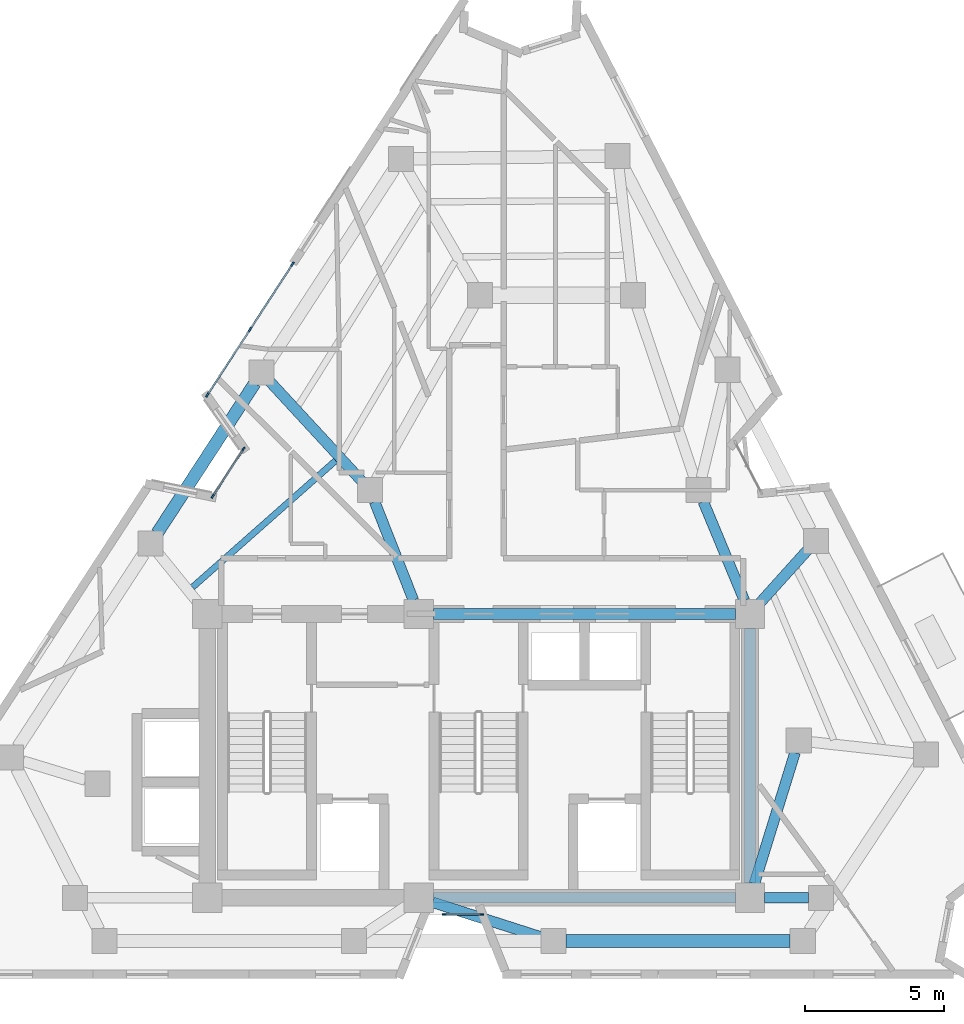
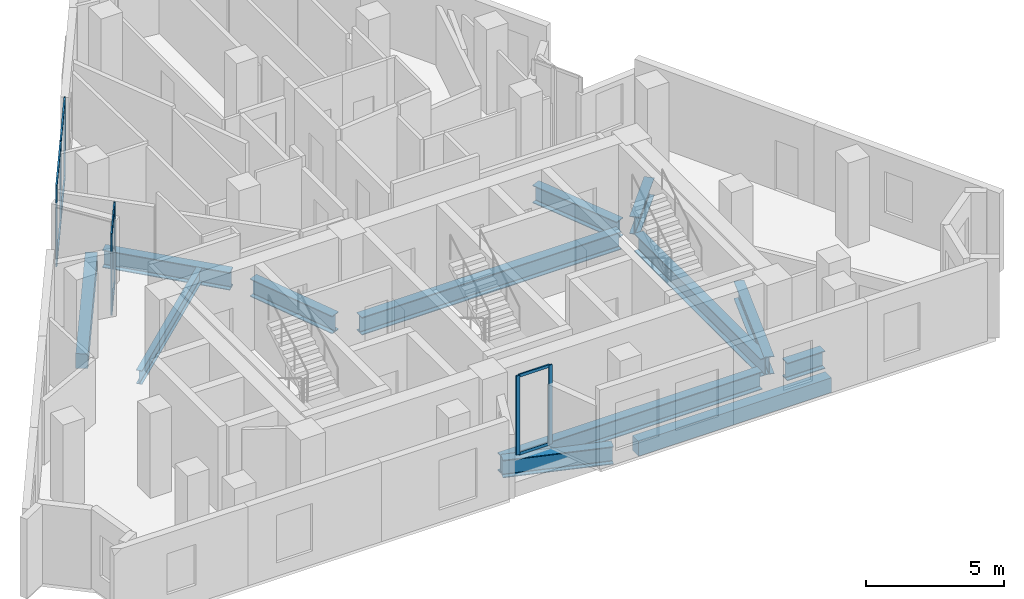
# One storey, part 2 of 10: 15 members, 13 beams, 3 elements without a shape of their own.
"""IFC4 building model written with IfcOpenShell, lengths in metres."""

from ifc_helpers import new_model, si_unit, direction, frame, origin, origin_2d, place, context, subcontext, project, spatial, rectangle, i_section, extrude, material, layer, layer_set, material_profile, profile_set, type_object, element, aggregate, save


model = new_model("IFC4")

# Units and contexts
model_context = context("Model", 3, precision=1e-05, world=origin(), true_north=direction((0.0, 1.0)))
body_context = subcontext(model_context, "Body", "Model", "MODEL_VIEW")
ifc_project = project(units=[si_unit("LENGTHUNIT", "METRE"), si_unit("AREAUNIT", "SQUARE_METRE"), si_unit("VOLUMEUNIT", "CUBIC_METRE"), si_unit("PLANEANGLEUNIT", "RADIAN"), si_unit("MASSUNIT", "GRAM", prefix="KILO")], contexts=[model_context])

# Site, building, storey
site_placement = place(None, origin())
site = spatial("IfcSite", under=ifc_project, at=site_placement, CompositionType="ELEMENT")
building_placement = place(site_placement, origin())
building = spatial("IfcBuilding", under=site, at=building_placement, Name="Almagre Mirador Tower", CompositionType="ELEMENT")
storey_placement = place(building_placement, frame((0.0, 0.0, 222.0)))
storey = spatial("IfcBuildingStorey", under=building, at=storey_placement, Name="L57", CompositionType="ELEMENT", Elevation=222.0)

# Beams
ifc_material_1 = material(Name="Steel ASTM A992 Grade 50", Category="steel")
ifc_material_profile_1 = material_profile(ifc_material_1, i_section(OverallWidth=0.22802734375, OverallDepth=0.60791015625, WebThickness=0.01123046875, FlangeThickness=0.017333984375, FilletRadius=0.02001953125, at=origin_2d()), Name="W24X76")
ifc_profile_set_1 = profile_set([ifc_material_profile_1], Name="Steel ASTM A992 Grade 50")
beam_type_1 = type_object("IfcBeamType", Name="BM-JST-W24X76", PredefinedType="JOIST", material=ifc_profile_set_1)
beam_1_placement = place(storey_placement, frame((32.162841796875, 20.2568359375, -0.553955078125), z_axis=(-0.749092259483, -0.662465687249, 0.0), x_axis=(0.662465687249, -0.749092259483, 0.0)))
element("IfcBeam", 1, at=beam_1_placement, inside=storey, type_object=beam_type_1, Name="L57 secondary floor joist PC10-PC11.3", PredefinedType="JOIST", context=body_context, shape_type="SweptSolid", body=[
    extrude(i_section(OverallWidth=0.22802734375, OverallDepth=0.60791015625, WebThickness=0.01123046875, FlangeThickness=0.017333984375, FilletRadius=0.02001953125, at=origin_2d()), origin(), (0.0, 0.0, 1.0), 6.865478515625),
])
ifc_material_2 = material(Name="Precast concrete C50/60", Category="concrete")
ifc_material_profile_2 = material_profile(ifc_material_2, rectangle(XDim=0.449951171875, YDim=0.64990234375, at=origin_2d()), Name="RC450X650")
ifc_profile_set_2 = profile_set([ifc_material_profile_2], Name="Precast concrete C50/60")
beam_type_2 = type_object("IfcBeamType", Name="BM-SPN-RC450X650", PredefinedType="SPANDREL", material=ifc_profile_set_2)
beam_2_placement = place(storey_placement, frame((40.43408203125, 3.0, -0.574951171875), z_axis=(1.0, 0.0, 0.0), x_axis=(0.0, 1.0, 0.0)))
element("IfcBeam", 2, at=beam_2_placement, inside=storey, type_object=beam_type_2, Name="L57 perimeter spandrel beam PC03-PC04", PredefinedType="SPANDREL", context=body_context, shape_type="SweptSolid", body=[
    extrude(rectangle(XDim=0.449951171875, YDim=0.64990234375, at=origin_2d()), origin(), (0.0, 0.0, 1.0), 8.059814453125),
])
beam_3_placement = place(storey_placement, frame((29.260498046875, 23.039794921875, -0.574951171875), z_axis=(-0.545617994426, -0.838034011337, 0.0), x_axis=(0.838034011337, -0.545617994426, 0.0)))
element("IfcBeam", 3, at=beam_3_placement, inside=storey, type_object=beam_type_2, Name="L57 perimeter spandrel beam PC10-PC11", PredefinedType="SPANDREL", context=body_context, shape_type="SweptSolid", body=[
    extrude(rectangle(XDim=0.449951171875, YDim=0.64990234375, at=origin_2d()), origin(), (0.0, 0.0, 1.0), 6.431396484375),
])
ifc_material_3 = material(Name="Steel ASTM A992 Grade 50", Category="steel")
ifc_material_profile_3 = material_profile(ifc_material_3, i_section(OverallWidth=0.384033203125, OverallDepth=0.784912109375, WebThickness=0.019775390625, FlangeThickness=0.033447265625, FilletRadius=0.02392578125, at=origin_2d()), Name="W30X211")
ifc_profile_set_3 = profile_set([ifc_material_profile_3], Name="Steel ASTM A992 Grade 50")
beam_type_3 = type_object("IfcBeamType", Name="BM-STL-W30X211", PredefinedType="BEAM", material=ifc_profile_set_3)
for number, where, z_axis, x_axis, name in (
    (4, (35.675048828125, 4.550048828125, -0.642578125), (1.0, 0.0, 0.0), (0.0, 1.0, 0.0), "L57 core tie girder CC2-CC3"),
    (5, (35.675048828125, 14.75, -0.642578125), (1.0, 0.0, 0.0), (0.0, 1.0, 0.0), "L57 core tie girder CC5-CC6"),
):
    element("IfcBeam", number, at=place(storey_placement, frame(where, z_axis=z_axis, x_axis=x_axis)), inside=storey, type_object=beam_type_3, Name=name, PredefinedType="BEAM", context=body_context, shape_type="SweptSolid", body=[
        extrude(i_section(OverallWidth=0.384033203125, OverallDepth=0.784912109375, WebThickness=0.019775390625, FlangeThickness=0.033447265625, FilletRadius=0.02392578125, at=origin_2d()), origin(), (0.0, 0.0, 1.0), 10.849853515625),
    ])
beam_4_placement = place(storey_placement, frame((47.050048828125, 5.074951171875, -0.642578125), z_axis=(0.0, 1.0, 0.0), x_axis=(-1.0, 0.0, 0.0)))
element("IfcBeam", 6, at=beam_4_placement, inside=storey, type_object=beam_type_3, Name="L57 core tie girder CC3-CC6", PredefinedType="BEAM", context=body_context, shape_type="SweptSolid", body=[
    extrude(i_section(OverallWidth=0.384033203125, OverallDepth=0.784912109375, WebThickness=0.019775390625, FlangeThickness=0.033447265625, FilletRadius=0.02392578125, at=origin_2d()), origin(), (0.0, 0.0, 1.0), 9.150146484375),
])
beam_5_placement = place(storey_placement, frame((49.14990234375, 4.550048828125, -0.642578125), z_axis=(-1.0, 0.0, 0.0), x_axis=(0.0, -1.0, 0.0)))
element("IfcBeam", 7, at=beam_5_placement, inside=storey, type_object=beam_type_3, Name="L57 core tie girder MC2-CC3", PredefinedType="BEAM", context=body_context, shape_type="SweptSolid", body=[
    extrude(i_section(OverallWidth=0.384033203125, OverallDepth=0.784912109375, WebThickness=0.019775390625, FlangeThickness=0.033447265625, FilletRadius=0.02392578125, at=origin_2d()), origin(), (0.0, 0.0, 1.0), 1.574951171875),
])
beam_6_placement = place(storey_placement, frame((48.6669921875, 9.77001953125, -0.642578125), z_axis=(-0.295901717967, -0.955218390372, 0.0), x_axis=(0.955218390372, -0.295901717967, 0.0)))
element("IfcBeam", 8, at=beam_6_placement, inside=storey, type_object=beam_type_3, Name="L57 core tie girder MC3-CC3", PredefinedType="BEAM", context=body_context, shape_type="SweptSolid", body=[
    extrude(i_section(OverallWidth=0.384033203125, OverallDepth=0.784912109375, WebThickness=0.019775390625, FlangeThickness=0.033447265625, FilletRadius=0.02392578125, at=origin_2d()), origin(), (0.0, 0.0, 1.0), 4.939697265625),
])
beam_7_placement = place(storey_placement, frame((45.372802734375, 18.784423828125, -0.642578125), z_axis=(0.383862140668, -0.923390414159, 0.0), x_axis=(0.923390414159, 0.383862140668, 0.0)))
element("IfcBeam", 9, at=beam_7_placement, inside=storey, type_object=beam_type_3, Name="L57 core tie girder MC5-CC6", PredefinedType="BEAM", context=body_context, shape_type="SweptSolid", body=[
    extrude(i_section(OverallWidth=0.384033203125, OverallDepth=0.784912109375, WebThickness=0.019775390625, FlangeThickness=0.033447265625, FilletRadius=0.02392578125, at=origin_2d()), origin(), (0.0, 0.0, 1.0), 3.843994140625),
])
beam_8_placement = place(storey_placement, frame((33.564697265625, 18.78125, -0.642578125), z_axis=(0.365999579355, -0.93061501595, 0.0), x_axis=(0.93061501595, 0.365999579355, 0.0)))
element("IfcBeam", 10, at=beam_8_placement, inside=storey, type_object=beam_type_3, Name="L57 core tie girder MC8-CC5", PredefinedType="BEAM", context=body_context, shape_type="SweptSolid", body=[
    extrude(i_section(OverallWidth=0.384033203125, OverallDepth=0.784912109375, WebThickness=0.019775390625, FlangeThickness=0.033447265625, FilletRadius=0.02392578125, at=origin_2d()), origin(), (0.0, 0.0, 1.0), 3.806884765625),
])
beam_9_placement = place(storey_placement, frame((39.555419921875, 3.137451171875, -0.642578125), z_axis=(-0.952251894345, 0.305313494161, 0.0), x_axis=(-0.305313494161, -0.952251894345, 0.0)))
element("IfcBeam", 11, at=beam_9_placement, inside=storey, type_object=beam_type_3, Name="L57 radial floor girder PC03-CC2", PredefinedType="BEAM", context=body_context, shape_type="SweptSolid", body=[
    extrude(i_section(OverallWidth=0.384033203125, OverallDepth=0.784912109375, WebThickness=0.019775390625, FlangeThickness=0.033447265625, FilletRadius=0.02392578125, at=origin_2d()), origin(), (0.0, 0.0, 1.0), 4.101318359375),
])
beam_10_placement = place(storey_placement, frame((49.11572265625, 17.043701171875, -0.642578125), z_axis=(-0.66921216439, -0.743071382192, 0.0), x_axis=(0.743071382192, -0.66921216439, 0.0)))
element("IfcBeam", 12, at=beam_10_placement, inside=storey, type_object=beam_type_3, Name="L57 radial floor girder PC06-CC6", PredefinedType="BEAM", context=body_context, shape_type="SweptSolid", body=[
    extrude(i_section(OverallWidth=0.384033203125, OverallDepth=0.784912109375, WebThickness=0.019775390625, FlangeThickness=0.033447265625, FilletRadius=0.02392578125, at=origin_2d()), origin(), (0.0, 0.0, 1.0), 2.561767578125),
])
beam_11_placement = place(storey_placement, frame((29.811279296875, 23.08642578125, -0.642578125), z_axis=(0.678399511669, -0.734693203023, 0.0), x_axis=(0.734693203023, 0.678399511669, 0.0)))
element("IfcBeam", 13, at=beam_11_placement, inside=storey, type_object=beam_type_3, Name="L57 radial floor girder PC10-MC8", PredefinedType="BEAM", context=body_context, shape_type="SweptSolid", body=[
    extrude(i_section(OverallWidth=0.384033203125, OverallDepth=0.784912109375, WebThickness=0.019775390625, FlangeThickness=0.033447265625, FilletRadius=0.02392578125, at=origin_2d()), origin(), (0.0, 0.0, 1.0), 4.840087890625),
])

# Curtain wall, members
ifc_material_4 = material(Name="Black anodized aluminium", Category="aluminium")
ifc_layer_1 = layer(ifc_material_4, 0.169921875)
ifc_layer_set_1 = layer_set([ifc_layer_1], Name="Black anodized aluminium")
curtain_wall_type_1 = type_object("IfcCurtainWallType", Name="CW-CRS-SYS", PredefinedType="NOTDEFINED", material=ifc_layer_set_1)
curtain_wall_1_placement = place(storey_placement, origin())
curtain_wall_1 = element("IfcCurtainWall", 14, at=curtain_wall_1_placement, inside=storey, type_object=curtain_wall_type_1, Name="L57 vertical crease curtain wall 01", PredefinedType="NOTDEFINED")
ifc_material_5 = material(Name="Black anodized aluminium", Category="aluminium")
ifc_material_profile_4 = material_profile(ifc_material_5, rectangle(XDim=0.06005859375, YDim=0.14990234375, at=origin_2d()), Name="CWM60X150")
ifc_profile_set_4 = profile_set([ifc_material_profile_4], Name="Black anodized aluminium")
member_type_1 = type_object("IfcMemberType", Name="MBR-CWM60X150", PredefinedType="MULLION", material=ifc_profile_set_4)
member_1_placement = place(storey_placement, frame((27.748291015625, 18.97607421875, 0.0), z_axis=(0.0, 0.0, 1.0), x_axis=(-0.838181190266, 0.545391870387, 0.0)))
member_1 = element("IfcMember", 15, at=member_1_placement, type_object=member_type_1, Name="CW-4 mullion 1", PredefinedType="MULLION", context=body_context, shape_type="SweptSolid", body=[
    extrude(rectangle(XDim=0.06005859375, YDim=0.14990234375, at=origin_2d()), origin(), (0.0, 0.0, 1.0), 3.5),
])
member_2_placement = place(storey_placement, frame((28.855712890625, 20.677734375, 0.0), z_axis=(0.0, 0.0, 1.0), x_axis=(-0.838181190266, 0.545391870387, 0.0)))
member_2 = element("IfcMember", 16, at=member_2_placement, type_object=member_type_1, Name="CW-4 mullion 2", PredefinedType="MULLION", context=body_context, shape_type="SweptSolid", body=[
    extrude(rectangle(XDim=0.06005859375, YDim=0.14990234375, at=origin_2d()), origin(), (0.0, 0.0, 1.0), 3.5),
])

curtain_wall_2_placement = place(storey_placement, origin())
curtain_wall_2 = element("IfcCurtainWall", 17, at=curtain_wall_2_placement, inside=storey, type_object=curtain_wall_type_1, Name="L57 vertical crease curtain wall 04", PredefinedType="NOTDEFINED")
member_3_placement = place(storey_placement, frame((37.4150390625, 3.949951171875, 0.0), z_axis=(0.0, 0.0, 1.0), x_axis=(0.0, -1.0, 0.0)))
member_3 = element("IfcMember", 18, at=member_3_placement, type_object=member_type_1, Name="CW-4 mullion 1", PredefinedType="MULLION", context=body_context, shape_type="SweptSolid", body=[
    extrude(rectangle(XDim=0.06005859375, YDim=0.14990234375, at=origin_2d()), origin(), (0.0, 0.0, 1.0), 3.5),
])
member_4_placement = place(storey_placement, frame((36.06494140625, 3.949951171875, 0.0), z_axis=(0.0, 0.0, 1.0), x_axis=(0.0, -1.0, 0.0)))
member_4 = element("IfcMember", 19, at=member_4_placement, type_object=member_type_1, Name="CW-4 mullion 2", PredefinedType="MULLION", context=body_context, shape_type="SweptSolid", body=[
    extrude(rectangle(XDim=0.06005859375, YDim=0.14990234375, at=origin_2d()), origin(), (0.0, 0.0, 1.0), 3.5),
])

ifc_material_6 = material(Name="Black anodized aluminium", Category="aluminium")
ifc_layer_2 = layer(ifc_material_6, 0.199951171875)
ifc_layer_set_2 = layer_set([ifc_layer_2], Name="Black anodized aluminium")
curtain_wall_type_2 = type_object("IfcCurtainWallType", Name="CW-RES-H-SYS", PredefinedType="NOTDEFINED", material=ifc_layer_set_2)
curtain_wall_3_placement = place(storey_placement, origin())
curtain_wall_3 = element("IfcCurtainWall", 20, at=curtain_wall_3_placement, inside=storey, type_object=curtain_wall_type_2, Name="L57 curtain wall run 02", PredefinedType="NOTDEFINED")
ifc_material_7 = material(Name="Black anodized aluminium", Category="aluminium")
ifc_material_profile_5 = material_profile(ifc_material_7, rectangle(XDim=0.06494140625, YDim=0.179931640625, at=origin_2d()), Name="CWM65X180")
ifc_profile_set_5 = profile_set([ifc_material_profile_5], Name="Black anodized aluminium")
member_type_2 = type_object("IfcMemberType", Name="MBR-CWM65X180", PredefinedType="MULLION", material=ifc_profile_set_5)
member_5_placement = place(storey_placement, frame((27.5546875, 22.619140625, 0.0), z_axis=(0.0, 0.0, 1.0), x_axis=(-0.838048530086, 0.545595693916, 0.0)))
member_5 = element("IfcMember", 21, at=member_5_placement, type_object=member_type_2, Name="CW-3 mullion 1", PredefinedType="MULLION", context=body_context, shape_type="SweptSolid", body=[
    extrude(rectangle(XDim=0.06494140625, YDim=0.179931640625, at=origin_2d()), origin(), (0.0, 0.0, 1.0), 3.5),
])
member_6_placement = place(storey_placement, frame((29.083740234375, 24.968017578125, 0.0), z_axis=(0.0, 0.0, 1.0), x_axis=(-0.838048530086, 0.545595693916, 0.0)))
member_6 = element("IfcMember", 22, at=member_6_placement, type_object=member_type_2, Name="CW-3 mullion 2", PredefinedType="MULLION", context=body_context, shape_type="SweptSolid", body=[
    extrude(rectangle(XDim=0.06494140625, YDim=0.179931640625, at=origin_2d()), origin(), (0.0, 0.0, 1.0), 3.5),
])
member_7_placement = place(storey_placement, frame((30.613037109375, 27.316650390625, 0.0), z_axis=(0.0, 0.0, 1.0), x_axis=(-0.838048530086, 0.545595693916, 0.0)))
member_7 = element("IfcMember", 23, at=member_7_placement, type_object=member_type_2, Name="CW-3 mullion 3", PredefinedType="MULLION", context=body_context, shape_type="SweptSolid", body=[
    extrude(rectangle(XDim=0.06494140625, YDim=0.179931640625, at=origin_2d()), origin(), (0.0, 0.0, 1.0), 3.5),
])

# Member
ifc_material_8 = material(Name="Black anodized aluminium", Category="aluminium")
ifc_material_profile_6 = material_profile(ifc_material_8, rectangle(XDim=0.06005859375, YDim=0.1298828125, at=origin_2d()), Name="CWT60X130")
ifc_profile_set_6 = profile_set([ifc_material_profile_6], Name="Black anodized aluminium")
member_type_3 = type_object("IfcMemberType", Name="MBR-CWT60X130", PredefinedType="USERDEFINED", material=ifc_profile_set_6)
member_8_placement = place(storey_placement, frame((27.7646484375, 19.001220703125, 0.030029296875), z_axis=(0.545458649629, 0.838137734233, 0.0), x_axis=(-0.838137734233, 0.545458649629, 0.0)))
member_8 = element("IfcMember", 24, at=member_8_placement, type_object=member_type_3, Name="CW-4 transom 1.1", ObjectType="TRANSOM", PredefinedType="USERDEFINED", context=body_context, shape_type="SweptSolid", body=[
    extrude(rectangle(XDim=0.06005859375, YDim=0.1298828125, at=origin_2d()), origin(), (0.0, 0.0, 1.0), 1.97021484375),
])

member_9_placement = place(storey_placement, frame((27.7646484375, 19.001220703125, 3.469970703125), z_axis=(0.545458649629, 0.838137734233, 0.0), x_axis=(-0.838137734233, 0.545458649629, 0.0)))
member_9 = element("IfcMember", 25, at=member_9_placement, type_object=member_type_3, Name="CW-4 transom 1.2", ObjectType="TRANSOM", PredefinedType="USERDEFINED", context=body_context, shape_type="SweptSolid", body=[
    extrude(rectangle(XDim=0.06005859375, YDim=0.1298828125, at=origin_2d()), origin(), (0.0, 0.0, 1.0), 1.97021484375),
])

aggregate(curtain_wall_1, [member_1, member_2, member_8, member_9])

member_10_placement = place(storey_placement, frame((37.385009765625, 3.949951171875, 0.030029296875), z_axis=(-1.0, 0.0, 0.0), x_axis=(0.0, -1.0, 0.0)))
member_10 = element("IfcMember", 26, at=member_10_placement, type_object=member_type_3, Name="CW-4 transom 1.1", ObjectType="TRANSOM", PredefinedType="USERDEFINED", context=body_context, shape_type="SweptSolid", body=[
    extrude(rectangle(XDim=0.06005859375, YDim=0.1298828125, at=origin_2d()), origin(), (0.0, 0.0, 1.0), 1.2900390625),
])

member_11_placement = place(storey_placement, frame((37.385009765625, 3.949951171875, 3.469970703125), z_axis=(-1.0, 0.0, 0.0), x_axis=(0.0, -1.0, 0.0)))
member_11 = element("IfcMember", 27, at=member_11_placement, type_object=member_type_3, Name="CW-4 transom 1.2", ObjectType="TRANSOM", PredefinedType="USERDEFINED", context=body_context, shape_type="SweptSolid", body=[
    extrude(rectangle(XDim=0.06005859375, YDim=0.1298828125, at=origin_2d()), origin(), (0.0, 0.0, 1.0), 1.2900390625),
])

aggregate(curtain_wall_2, [member_3, member_4, member_10, member_11])

ifc_material_9 = material(Name="Black anodized aluminium", Category="aluminium")
ifc_material_profile_7 = material_profile(ifc_material_9, rectangle(XDim=0.06494140625, YDim=0.14990234375, at=origin_2d()), Name="CWT65X150")
ifc_profile_set_7 = profile_set([ifc_material_profile_7], Name="Black anodized aluminium")
member_type_4 = type_object("IfcMemberType", Name="MBR-CWT65X150", PredefinedType="USERDEFINED", material=ifc_profile_set_7)
member_12_placement = place(storey_placement, frame((27.572509765625, 22.646484375, 0.032470703125), z_axis=(0.545611999583, 0.838037914364, 0.0), x_axis=(-0.838037914364, 0.545611999583, 0.0)))
member_12 = element("IfcMember", 28, at=member_12_placement, type_object=member_type_4, Name="CW-3 transom 1.1", ObjectType="TRANSOM", PredefinedType="USERDEFINED", context=body_context, shape_type="SweptSolid", body=[
    extrude(rectangle(XDim=0.06494140625, YDim=0.14990234375, at=origin_2d()), origin(), (0.0, 0.0, 1.0), 2.737548828125),
])

member_13_placement = place(storey_placement, frame((27.572509765625, 22.646484375, 3.467529296875), z_axis=(0.545611999583, 0.838037914364, 0.0), x_axis=(-0.838037914364, 0.545611999583, 0.0)))
member_13 = element("IfcMember", 29, at=member_13_placement, type_object=member_type_4, Name="CW-3 transom 1.2", ObjectType="TRANSOM", PredefinedType="USERDEFINED", context=body_context, shape_type="SweptSolid", body=[
    extrude(rectangle(XDim=0.06494140625, YDim=0.14990234375, at=origin_2d()), origin(), (0.0, 0.0, 1.0), 2.737548828125),
])

member_14_placement = place(storey_placement, frame((29.1015625, 24.9951171875, 0.032470703125), z_axis=(0.545571224351, 0.838064460027, 0.0), x_axis=(-0.838064460027, 0.545571224351, 0.0)))
member_14 = element("IfcMember", 30, at=member_14_placement, type_object=member_type_4, Name="CW-3 transom 2.1", ObjectType="TRANSOM", PredefinedType="USERDEFINED", context=body_context, shape_type="SweptSolid", body=[
    extrude(rectangle(XDim=0.06494140625, YDim=0.14990234375, at=origin_2d()), origin(), (0.0, 0.0, 1.0), 2.73779296875),
])

member_15_placement = place(storey_placement, frame((29.1015625, 24.9951171875, 3.467529296875), z_axis=(0.545571224351, 0.838064460027, 0.0), x_axis=(-0.838064460027, 0.545571224351, 0.0)))
member_15 = element("IfcMember", 31, at=member_15_placement, type_object=member_type_4, Name="CW-3 transom 2.2", ObjectType="TRANSOM", PredefinedType="USERDEFINED", context=body_context, shape_type="SweptSolid", body=[
    extrude(rectangle(XDim=0.06494140625, YDim=0.14990234375, at=origin_2d()), origin(), (0.0, 0.0, 1.0), 2.73779296875),
])

aggregate(curtain_wall_3, [member_5, member_6, member_7, member_12, member_13, member_14, member_15])

save(model, "model.ifc")
